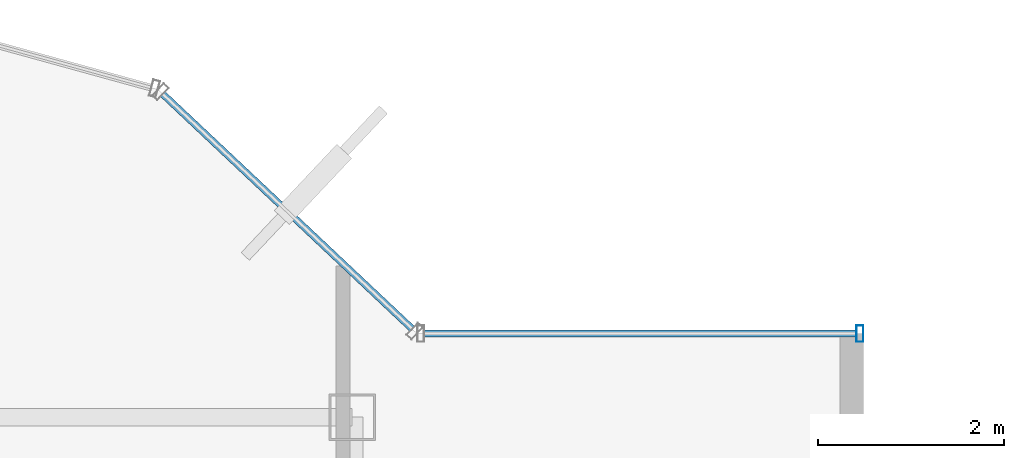
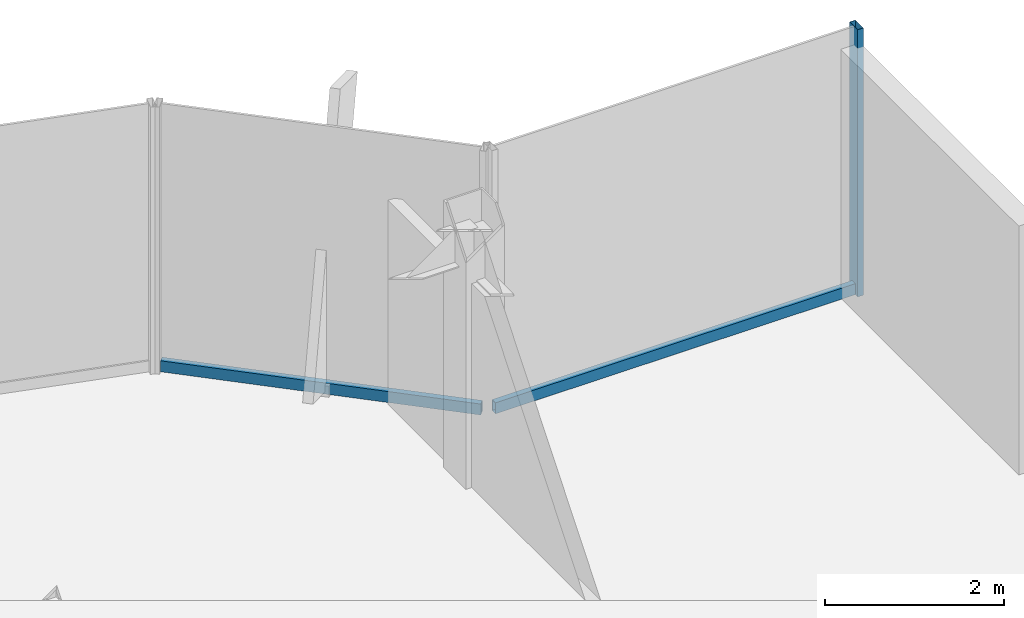
# One storey, part 15 of 22: 3 members, 2 elements without a shape of their own.
"""IFC4 building model written with IfcOpenShell, lengths in metres."""

from ifc_helpers import new_model, si_unit, derived_unit, direction, frame, origin, origin_2d, place, context, subcontext, project, spatial, hollow_rectangle, extrude, source, transform, mapped, material, material_profile, profile_set, type_object, element, aggregate, save


model = new_model("IFC4")

# Units and contexts
model_context = context("Model", 3, precision=1e-05, world=origin(), true_north=direction((0.0, 1.0)))
body_context = subcontext(model_context, "Body", "Model", "MODEL_VIEW")
ifc_project = project(units=[si_unit("LENGTHUNIT", "METRE"), si_unit("AREAUNIT", "SQUARE_METRE"), si_unit("VOLUMEUNIT", "CUBIC_METRE"), si_unit("PLANEANGLEUNIT", "RADIAN"), si_unit("MASSUNIT", "GRAM", prefix="KILO"), derived_unit("THERMALTRANSMITTANCEUNIT", [(si_unit("POWERUNIT", "WATT"), 1), (si_unit("LENGTHUNIT", "METRE"), -2), (si_unit("THERMODYNAMICTEMPERATUREUNIT", "KELVIN"), -1)])], contexts=[model_context])

# Site, building, storey
site_placement = place(None, origin())
site = spatial("IfcSite", under=ifc_project, at=site_placement, CompositionType="ELEMENT")
building_placement = place(site_placement, origin())
building = spatial("IfcBuilding", under=site, at=building_placement, Name="Skarnbrae Concourse Arena and Tower", CompositionType="ELEMENT")
storey_placement = place(building_placement, frame((0.0, 0.0, 195.89990234375)))
storey = spatial("IfcBuildingStorey", under=building, at=storey_placement, Name="L50", CompositionType="ELEMENT", Elevation=195.89990234375)

# Curtain wall, member
ifc_material = material(Name="Bronze anodised aluminium 6063-T6", Category="aluminium")
curtain_wall_type = type_object("IfcCurtainWallType", Name="CW-SYS-05-HIGHZONE", PredefinedType="USERDEFINED", material=ifc_material)
curtain_wall_1_placement = place(storey_placement, origin())
curtain_wall_1 = element("IfcCurtainWall", 1, at=curtain_wall_1_placement, inside=storey, type_object=curtain_wall_type, Name="L50 Unitised curtain wall CW-L50-E07", ObjectType="UNITISED CURTAIN WALL", PredefinedType="USERDEFINED")
ifc_material_profile_1 = material_profile(ifc_material, hollow_rectangle(XDim=0.074951171875, YDim=0.14990234375, WallThickness=0.00390625, at=origin_2d()), Name="ALU-TRAN-75X150")
ifc_profile_set_1 = profile_set([ifc_material_profile_1], Name="Bronze anodised aluminium 6063-T6")
member_type_1 = type_object("IfcMemberType", Name="CWT-CW-05", PredefinedType="USERDEFINED", material=ifc_profile_set_1)
shared_shape_1 = source(origin(), body_context, "Body", "SweptSolid", [
    extrude(hollow_rectangle(XDim=0.074951171875, YDim=0.14990234375, WallThickness=0.00390625, at=origin_2d()), origin(), (0.0, 0.0, 1.0), 4.650146484375),
])
member_1_placement = place(storey_placement, frame((38.925048828125, 35.300048828125, 0.0751953125), z_axis=(-1.0, 0.0, 0.0), x_axis=(0.0, -1.0, 0.0)))
member_1 = element("IfcMember", 2, at=member_1_placement, type_object=member_type_1, Name="CW-L50-E07 Transom 1", ObjectType="TRANSOM", PredefinedType="USERDEFINED", context=body_context, shape_type="MappedRepresentation", body=[
    mapped(shared_shape_1, transform((0.0, 0.0, 0.0))),
])

curtain_wall_2_placement = place(storey_placement, origin())
curtain_wall_2 = element("IfcCurtainWall", 3, at=curtain_wall_2_placement, inside=storey, type_object=curtain_wall_type, Name="L50 Unitised curtain wall CW-L50-E08", ObjectType="UNITISED CURTAIN WALL", PredefinedType="USERDEFINED")
shared_shape_2 = source(origin(), body_context, "Body", "SweptSolid", [
    extrude(hollow_rectangle(XDim=0.074951171875, YDim=0.14990234375, WallThickness=0.00390625, at=origin_2d()), origin(), (0.0, 0.0, 1.0), 3.68212890625),
])
member_2_placement = place(storey_placement, frame((34.1455078125, 35.351318359375, 0.0751953125), z_axis=(-0.728133808476, 0.685435012933, 0.0), x_axis=(-0.685435012933, -0.728133808476, 0.0)))
member_2 = element("IfcMember", 4, at=member_2_placement, type_object=member_type_1, Name="CW-L50-E08 Transom 1", ObjectType="TRANSOM", PredefinedType="USERDEFINED", context=body_context, shape_type="MappedRepresentation", body=[
    mapped(shared_shape_2, transform((0.0, 0.0, 0.0))),
])
aggregate(curtain_wall_2, [member_2])

# Member
ifc_material_profile_2 = material_profile(ifc_material, hollow_rectangle(XDim=0.074951171875, YDim=0.179931640625, WallThickness=0.00390625, at=origin_2d()), Name="ALU-MULL-75X180")
ifc_profile_set_2 = profile_set([ifc_material_profile_2], Name="Bronze anodised aluminium 6063-T6")
member_type_2 = type_object("IfcMemberType", Name="CWM-CW-05", PredefinedType="MULLION", material=ifc_profile_set_2)
shared_shape_3 = source(origin(), body_context, "Body", "SweptSolid", [
    extrude(hollow_rectangle(XDim=0.074951171875, YDim=0.179931640625, WallThickness=0.00390625, at=origin_2d()), origin(), (0.0, 0.0, 1.0), 3.650146484375),
])
member_3_placement = place(storey_placement, frame((38.96240234375, 35.300048828125, 0.0), z_axis=(0.0, 0.0, 1.0), x_axis=(-1.0, 0.0, 0.0)))
member_3 = element("IfcMember", 5, at=member_3_placement, type_object=member_type_2, Name="CW-L50-E07 Mullion 1", PredefinedType="MULLION", context=body_context, shape_type="MappedRepresentation", body=[
    mapped(shared_shape_3, transform((0.0, 0.0, 0.0))),
])

aggregate(curtain_wall_1, [member_3, member_1])

save(model, "model.ifc")
